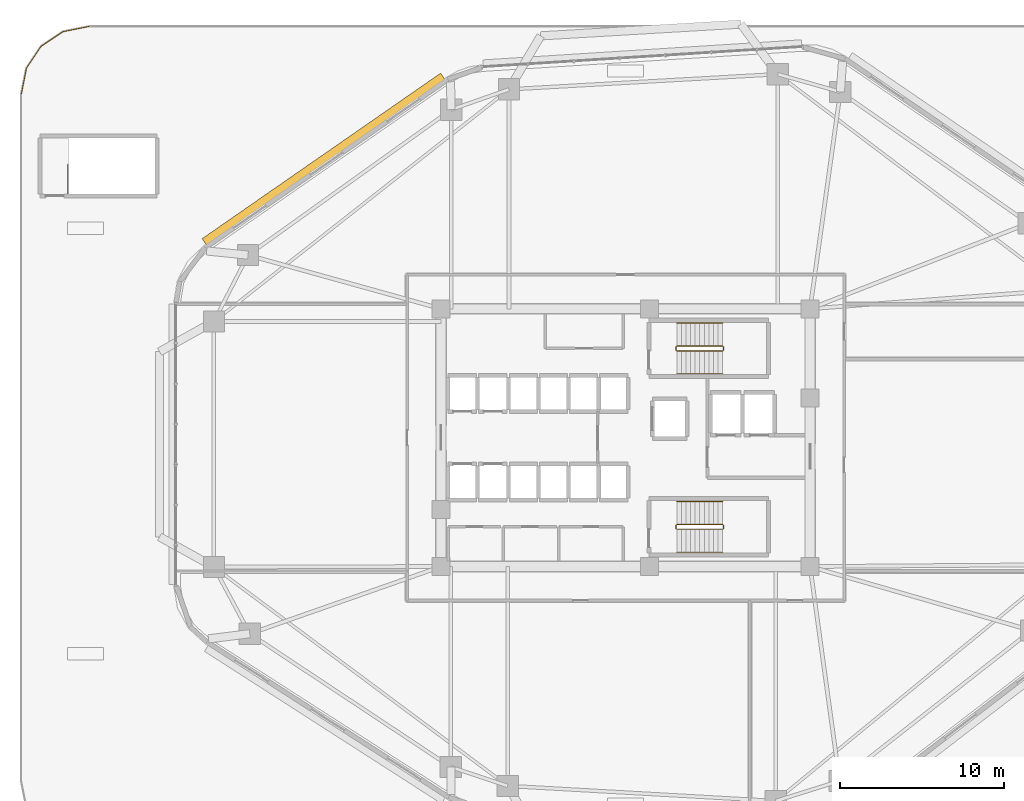
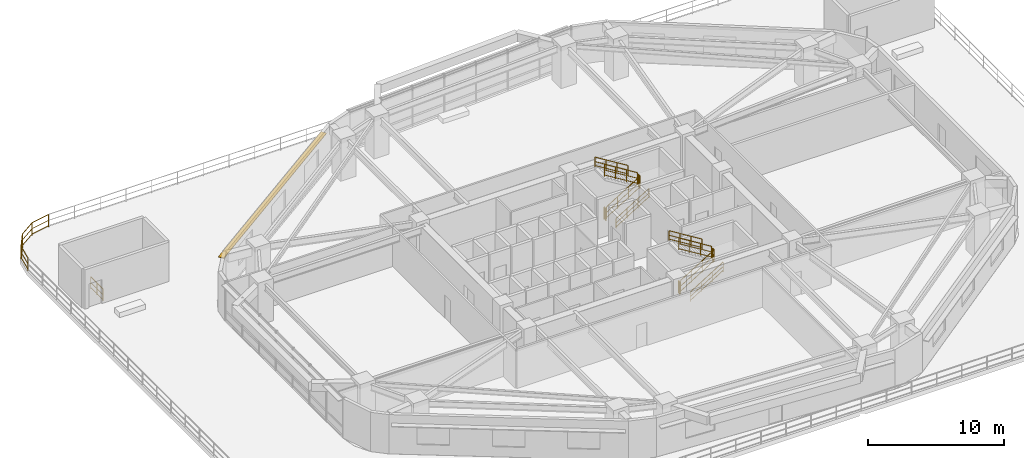
# One storey, part 19 of 20: 17 railings, 1 shading device.
"""IFC4 building model written with IfcOpenShell, lengths in metres."""

import ifcopenshell
import ifcopenshell.guid

model = None  # the IFC model being written
_history = None  # IfcOwnerHistory: only IFC2X3 demands one
_inside = {}  # id of a spatial element -> (the spatial element, [elements in it])
_under = {}  # id of a project, library or spatial element -> (it, [spatial elements below it])
_declared = {}  # id of a project -> (the project, [libraries it declares])
_typed = {}  # id of a type object -> (the type object, [elements of that type])
_made_of = {}  # id of a material, layer set ... -> (it, [elements and type objects made of it])


def new_model(schema):
    """Start an empty IFC model of exactly this schema.

    Asked for "IFC4X3", IfcOpenShell would pick the latest addendum, in which some entities
    have other attributes; the version numbers below select the first issue.
    IFC2X3 requires an IfcOwnerHistory on every rooted entity: one is made here for all.
    """
    global model, _history
    if schema == "IFC4X3":
        model = ifcopenshell.file(schema_version=(4, 3, 0, 0))
    else:
        model = ifcopenshell.file(schema=schema)
    _inside.clear()
    _under.clear()
    _declared.clear()
    _typed.clear()
    _made_of.clear()
    _history = None
    if model.schema == "IFC2X3":
        org = make("IfcOrganization", Name="unknown")
        user = make(
            "IfcPersonAndOrganization",
            ThePerson=make("IfcPerson", FamilyName="unknown"),
            TheOrganization=org,
        )
        app = make(
            "IfcApplication",
            ApplicationDeveloper=org,
            Version="unknown",
            ApplicationFullName="unknown",
            ApplicationIdentifier="unknown",
        )
        _history = make(
            "IfcOwnerHistory",
            OwningUser=user,
            OwningApplication=app,
            ChangeAction="ADDED",
            CreationDate=0,
        )
    return model


def make(cls, **values):
    """One entity of the class cls with the attributes given. An attribute that is None is left unset."""
    return model.create_entity(
        cls, **{name: value for name, value in values.items() if value is not None}
    )


def rooted(cls, **values):
    """An entity with a GlobalId (a new one), such as an element, a storey or a relation."""
    return make(cls, GlobalId=ifcopenshell.guid.new(), OwnerHistory=_history, **values)


def si_unit(unit_type, name, prefix=None):
    """IfcSIUnit, for example si_unit("LENGTHUNIT", "METRE", prefix="MILLI")."""
    return make("IfcSIUnit", UnitType=unit_type, Prefix=prefix, Name=name)


def assignment(units):
    """IfcUnitAssignment: the units of a project."""
    return None if units is None else make("IfcUnitAssignment", Units=units)


def point(xyz):
    """IfcCartesianPoint."""
    return None if xyz is None else make("IfcCartesianPoint", Coordinates=xyz)


def direction(xyz):
    """IfcDirection."""
    return None if xyz is None else make("IfcDirection", DirectionRatios=xyz)


def frame(location, z_axis=None, x_axis=None):
    """IfcAxis2Placement3D, a coordinate frame: its origin and axes. An axis left out is left unset."""
    return make(
        "IfcAxis2Placement3D",
        Location=point(location),
        Axis=direction(z_axis),
        RefDirection=direction(x_axis),
    )


def frame_2d(location, x_axis=None):
    """IfcAxis2Placement2D, a coordinate frame in the plane: its origin and x axis."""
    return make(
        "IfcAxis2Placement2D", Location=point(location), RefDirection=direction(x_axis)
    )


def origin():
    """The frame at (0, 0, 0) with its axes left unset."""
    return frame((0.0, 0.0, 0.0))


def origin_2d():
    """The frame at (0, 0) in the plane with its x axis left unset."""
    return frame_2d((0.0, 0.0))


def place(relative_to, where):
    """IfcLocalPlacement: puts the frame where relative to a parent placement (None: the world)."""
    return make(
        "IfcLocalPlacement", PlacementRelTo=relative_to, RelativePlacement=where
    )


def context(
    kind, dimensions, precision=None, world=None, true_north=None, identifier=None
):
    """IfcGeometricRepresentationContext, for example the 3D "Model" context."""
    return make(
        "IfcGeometricRepresentationContext",
        ContextIdentifier=identifier,
        ContextType=kind,
        CoordinateSpaceDimension=dimensions,
        Precision=precision,
        WorldCoordinateSystem=world,
        TrueNorth=true_north,
    )


def subcontext(parent, identifier, kind, view, scale=None):
    """IfcGeometricRepresentationSubContext, for example "Body" below "Model"."""
    return make(
        "IfcGeometricRepresentationSubContext",
        ContextIdentifier=identifier,
        ContextType=kind,
        ParentContext=parent,
        TargetScale=scale,
        TargetView=view,
    )


def project(units=None, contexts=None):
    """IfcProject with its units and contexts."""
    return rooted(
        "IfcProject",
        Name="project",
        RepresentationContexts=contexts,
        UnitsInContext=assignment(units),
    )


def spatial(cls, under=None, at=None, **own):
    """A site, building, storey or space (cls), placed at a placement, below another one or the project."""
    s = rooted(cls, ObjectPlacement=at, **own)
    if under is not None:
        _under.setdefault(under.id(), (under, []))[1].append(s)
    return s


def profile(cls, at=None, kind="AREA", **sizes):
    """A parametric profile (cls). Its sizes go by their IFC names, for example OverallWidth=200.0."""
    return make(cls, ProfileType=kind, Position=at, **sizes)


def rectangle(**sizes):
    """IfcRectangleProfileDef."""
    return profile("IfcRectangleProfileDef", **sizes)


def extrude(swept, where, along, depth):
    """IfcExtrudedAreaSolid: the profile swept, set in the frame where, extruded along a direction by depth."""
    return make(
        "IfcExtrudedAreaSolid",
        SweptArea=swept,
        Position=where,
        ExtrudedDirection=direction(along),
        Depth=depth,
    )


def shape(context_of_items, identifier, shape_type, items):
    """IfcShapeRepresentation: the items that make up one representation, for example the "Body"."""
    return make(
        "IfcShapeRepresentation",
        ContextOfItems=context_of_items,
        RepresentationIdentifier=identifier,
        RepresentationType=shape_type,
        Items=items,
    )


def material(Name=None, Category=None):
    """IfcMaterial."""
    return make("IfcMaterial", Name=Name, Category=Category)


def layer(
    of_material, thickness, ventilated=None, Name=None, Category=None, Priority=None
):
    """IfcMaterialLayer: one layer of a wall or slab, of a material (None: an air gap)."""
    return make(
        "IfcMaterialLayer",
        Material=of_material,
        LayerThickness=thickness,
        IsVentilated=ventilated,
        Name=Name,
        Category=Category,
        Priority=Priority,
    )


def layer_set(layers, Name=None):
    """IfcMaterialLayerSet."""
    return make("IfcMaterialLayerSet", MaterialLayers=layers, LayerSetName=Name)


def made_of(thing, what):
    """Note that an element or type object is made of a material, layer set ...; save() writes the relation."""
    if what is not None:
        _made_of.setdefault(what.id(), (what, []))[1].append(thing)
    return thing


def type_object(cls, material=None, **own):
    """A type object (cls), such as IfcWallType, which elements share."""
    return made_of(rooted(cls, **own), material)


def element(
    cls,
    number,
    at=None,
    inside=None,
    cuts=None,
    type_object=None,
    material=None,
    context=None,
    identifier="Body",
    shape_type=None,
    held_by="IfcProductDefinitionShape",
    body=None,
    shapes=None,
    **own,
):
    """One element of the class cls, such as IfcWall. Its Tag is "e" and its number.

    at: its placement. inside: the storey or other place that contains it. cuts: it is an
    opening in that element (IfcRelVoidsElement). A single representation is given by context,
    identifier, shape_type and body (its items); several are given by shapes. held_by: the class
    of the entity that holds the representations. save() writes the other relations.
    """
    e = rooted(cls, Tag="e%d" % number, ObjectPlacement=at, **own)
    if body is not None:
        shapes = [shape(context, identifier, shape_type, body)]
    if shapes is not None:
        e.Representation = make(held_by, Representations=shapes)
    if inside is not None:
        _inside.setdefault(inside.id(), (inside, []))[1].append(e)
    if cuts is not None:
        rooted(
            "IfcRelVoidsElement", RelatingBuildingElement=cuts, RelatedOpeningElement=e
        )
    if type_object is not None:
        _typed.setdefault(type_object.id(), (type_object, []))[1].append(e)
    return made_of(e, material)


def aggregate(whole, parts):
    """IfcRelAggregates: a whole, such as a stair, and the parts it consists of."""
    return rooted("IfcRelAggregates", RelatingObject=whole, RelatedObjects=parts)


def save(model, path):
    """Write the relations noted so far, then the file.

    IfcRelAggregates (storeys below a building ...), IfcRelContainedInSpatialStructure (elements
    in a storey), IfcRelDefinesByType, IfcRelAssociatesMaterial and IfcRelDeclares: one each for
    every whole, place, type object, material and project.
    """
    for whole, parts in _under.values():
        aggregate(whole, parts)
    for where, things in _inside.values():
        rooted(
            "IfcRelContainedInSpatialStructure",
            RelatedElements=things,
            RelatingStructure=where,
        )
    for kind, things in _typed.values():
        rooted("IfcRelDefinesByType", RelatedObjects=things, RelatingType=kind)
    for what, things in _made_of.values():
        rooted("IfcRelAssociatesMaterial", RelatedObjects=things, RelatingMaterial=what)
    for by, libraries in _declared.values():
        rooted("IfcRelDeclares", RelatingContext=by, RelatedDefinitions=libraries)
    model.write(path)


model = new_model("IFC4")

# Units and contexts
model_context = context("Model", 3, precision=1e-05, world=origin(), true_north=direction((0.0, 1.0)))
body_context = subcontext(model_context, "Body", "Model", "MODEL_VIEW")
ifc_project = project(units=[si_unit("LENGTHUNIT", "METRE"), si_unit("AREAUNIT", "SQUARE_METRE"), si_unit("VOLUMEUNIT", "CUBIC_METRE"), si_unit("PLANEANGLEUNIT", "RADIAN"), si_unit("MASSUNIT", "GRAM", prefix="KILO")], contexts=[model_context])

# Site, building, storey
site_placement = place(None, origin())
site = spatial("IfcSite", under=ifc_project, at=site_placement, CompositionType="ELEMENT")
building_placement = place(site_placement, origin())
building = spatial("IfcBuilding", under=site, at=building_placement, Name="Zulverin Broadcast Headquarters", CompositionType="ELEMENT")
storey_placement = place(building_placement, frame((0.0, 0.0, 25.0)))
storey = spatial("IfcBuildingStorey", under=building, at=storey_placement, Name="L05", CompositionType="ELEMENT", Elevation=25.0)

# Railings
ifc_material_1 = material(Name="Brushed stainless steel & laminated glass balustrade", Category="steel")
railing_type_1 = type_object("IfcRailingType", Name="RL-GUARD-1150", PredefinedType="GUARDRAIL", material=ifc_material_1)
railing_1_placement = place(storey_placement, frame((4.193115234375, 50.317138671875, 0.0)))
element("IfcRailing", 1, at=railing_1_placement, inside=storey, type_object=railing_type_1, Name="L05 Raised Public Garden Perimeter Balustrade Segment 12", PredefinedType="GUARDRAIL", context=body_context, shape_type="SweptSolid", body=[
    extrude(rectangle(XDim=0.048095703125, YDim=0.048095703125, at=origin_2d()), frame((0.0, 0.0, 1.1259765625), z_axis=(-0.980769804639, -0.195168107818, 0.0), x_axis=(0.195168107818, -0.980769804639, 0.0)), (0.0, 0.0, 1.0), 1.5849609375),
    extrude(rectangle(XDim=0.0419921875, YDim=0.0419921875, at=origin_2d()), frame((0.0, 0.0, 0.597900390625), z_axis=(-0.980769804639, -0.195168107818, 0.0), x_axis=(0.195168107818, -0.980769804639, 0.0)), (0.0, 0.0, 1.0), 1.5849609375),
    extrude(rectangle(XDim=0.0419921875, YDim=0.0419921875, at=origin_2d()), frame((0.0, 0.0, 0.1201171875), z_axis=(-0.980769804639, -0.195168107818, 0.0), x_axis=(0.195168107818, -0.980769804639, 0.0)), (0.0, 0.0, 1.0), 1.5849609375),
    extrude(rectangle(XDim=0.0419921875, YDim=0.0419921875, at=origin_2d()), origin(), (0.0, 0.0, 1.0), 1.101806640625),
    extrude(rectangle(XDim=0.0419921875, YDim=0.0419921875, at=origin_2d()), frame((-1.554443359375, -0.309326171875, 0.0)), (0.0, 0.0, 1.0), 1.101806640625),
])
railing_2_placement = place(storey_placement, frame((2.611328125, 49.99658203125, 0.0)))
element("IfcRailing", 2, at=railing_2_placement, inside=storey, type_object=railing_type_1, Name="L05 Raised Public Garden Perimeter Balustrade Segment 13", PredefinedType="GUARDRAIL", context=body_context, shape_type="SweptSolid", body=[
    extrude(rectangle(XDim=0.048095703125, YDim=0.048095703125, at=origin_2d()), frame((0.0, 0.0, 1.1259765625), z_axis=(-0.831406618697, -0.555664498045, 0.0), x_axis=(0.555664498045, -0.831406618697, 0.0)), (0.0, 0.0, 1.0), 1.576904296875),
    extrude(rectangle(XDim=0.0419921875, YDim=0.0419921875, at=origin_2d()), frame((0.0, 0.0, 0.597900390625), z_axis=(-0.831406618697, -0.555664498045, 0.0), x_axis=(0.555664498045, -0.831406618697, 0.0)), (0.0, 0.0, 1.0), 1.576904296875),
    extrude(rectangle(XDim=0.0419921875, YDim=0.0419921875, at=origin_2d()), frame((0.0, 0.0, 0.1201171875), z_axis=(-0.831406618697, -0.555664498045, 0.0), x_axis=(0.555664498045, -0.831406618697, 0.0)), (0.0, 0.0, 1.0), 1.576904296875),
    extrude(rectangle(XDim=0.0419921875, YDim=0.0419921875, at=origin_2d()), origin(), (0.0, 0.0, 1.0), 1.101806640625),
    extrude(rectangle(XDim=0.0419921875, YDim=0.0419921875, at=origin_2d()), frame((-1.31103515625, -0.876220703125, 0.0)), (0.0, 0.0, 1.0), 1.101806640625),
])
railing_3_placement = place(storey_placement, frame((1.279541015625, 49.099609375, 0.0)))
element("IfcRailing", 3, at=railing_3_placement, inside=storey, type_object=railing_type_1, Name="L05 Raised Public Garden Perimeter Balustrade Segment 14", PredefinedType="GUARDRAIL", context=body_context, shape_type="SweptSolid", body=[
    extrude(rectangle(XDim=0.048095703125, YDim=0.048095703125, at=origin_2d()), frame((0.0, 0.0, 1.1259765625), z_axis=(-0.555664498045, -0.831406618697, 0.0), x_axis=(0.831406618697, -0.555664498045, 0.0)), (0.0, 0.0, 1.0), 1.576904296875),
    extrude(rectangle(XDim=0.0419921875, YDim=0.0419921875, at=origin_2d()), frame((0.0, 0.0, 0.597900390625), z_axis=(-0.555664498045, -0.831406618697, 0.0), x_axis=(0.831406618697, -0.555664498045, 0.0)), (0.0, 0.0, 1.0), 1.576904296875),
    extrude(rectangle(XDim=0.0419921875, YDim=0.0419921875, at=origin_2d()), frame((0.0, 0.0, 0.1201171875), z_axis=(-0.555664498045, -0.831406618697, 0.0), x_axis=(0.831406618697, -0.555664498045, 0.0)), (0.0, 0.0, 1.0), 1.576904296875),
    extrude(rectangle(XDim=0.0419921875, YDim=0.0419921875, at=origin_2d()), origin(), (0.0, 0.0, 1.0), 1.101806640625),
    extrude(rectangle(XDim=0.0419921875, YDim=0.0419921875, at=origin_2d()), frame((-0.876220703125, -1.31103515625, 0.0)), (0.0, 0.0, 1.0), 1.101806640625),
])
railing_4_placement = place(storey_placement, frame((0.39208984375, 47.761474609375, 0.0)))
element("IfcRailing", 4, at=railing_4_placement, inside=storey, type_object=railing_type_1, Name="L05 Raised Public Garden Perimeter Balustrade Segment 15", PredefinedType="GUARDRAIL", context=body_context, shape_type="SweptSolid", body=[
    extrude(rectangle(XDim=0.048095703125, YDim=0.048095703125, at=origin_2d()), frame((0.0, 0.0, 1.1259765625), z_axis=(-0.194990468547, -0.980805137209, 0.0), x_axis=(0.980805137209, -0.194990468547, 0.0)), (0.0, 0.0, 1.0), 1.585205078125),
    extrude(rectangle(XDim=0.0419921875, YDim=0.0419921875, at=origin_2d()), frame((0.0, 0.0, 0.597900390625), z_axis=(-0.194990468547, -0.980805137209, 0.0), x_axis=(0.980805137209, -0.194990468547, 0.0)), (0.0, 0.0, 1.0), 1.585205078125),
    extrude(rectangle(XDim=0.0419921875, YDim=0.0419921875, at=origin_2d()), frame((0.0, 0.0, 0.1201171875), z_axis=(-0.194990468547, -0.980805137209, 0.0), x_axis=(0.980805137209, -0.194990468547, 0.0)), (0.0, 0.0, 1.0), 1.585205078125),
    extrude(rectangle(XDim=0.0419921875, YDim=0.0419921875, at=origin_2d()), origin(), (0.0, 0.0, 1.0), 1.101806640625),
    extrude(rectangle(XDim=0.0419921875, YDim=0.0419921875, at=origin_2d()), frame((-0.30908203125, -1.5546875, 0.0)), (0.0, 0.0, 1.0), 1.101806640625),
])
ifc_material_2 = material(Name="Painted galvanized steel tubular guardrail S355JR", Category="steel")
railing_type_2 = type_object("IfcRailingType", Name="RL-ST-GUARD", PredefinedType="GUARDRAIL", material=ifc_material_2)
railing_5_placement = place(storey_placement, frame((40.1298828125, 30.5, 0.172607421875)))
element("IfcRailing", 5, at=railing_5_placement, inside=storey, type_object=railing_type_2, Name="L05 ST-1 stair guard 1", PredefinedType="GUARDRAIL", context=body_context, shape_type="SweptSolid", body=[
    extrude(rectangle(XDim=0.048095703125, YDim=0.048095703125, at=origin_2d()), frame((0.0, 0.0, 1.076171875), z_axis=(0.851089632645, 0.0, 0.525020415988), x_axis=(0.0, 1.0, 0.0)), (0.0, 0.0, 1.0), 3.2900390625),
    extrude(rectangle(XDim=0.0419921875, YDim=0.0419921875, at=origin_2d()), frame((0.0, 0.0, 0.572021484375), z_axis=(0.851089632645, 0.0, 0.525020415988), x_axis=(0.0, 1.0, 0.0)), (0.0, 0.0, 1.0), 3.2900390625),
    extrude(rectangle(XDim=0.0419921875, YDim=0.0419921875, at=origin_2d()), frame((0.0, 0.0, 0.1201171875), z_axis=(0.851089632645, 0.0, 0.525020415988), x_axis=(0.0, 1.0, 0.0)), (0.0, 0.0, 1.0), 3.2900390625),
    extrude(rectangle(XDim=0.0419921875, YDim=0.0419921875, at=origin_2d()), origin(), (0.0, 0.0, 1.0), 1.052001953125),
    extrude(rectangle(XDim=0.0419921875, YDim=0.0419921875, at=origin_2d()), frame((0.933349609375, 0.0, 0.57568359375)), (0.0, 0.0, 1.0), 1.052001953125),
    extrude(rectangle(XDim=0.0419921875, YDim=0.0419921875, at=origin_2d()), frame((1.86669921875, 0.0, 1.151611328125)), (0.0, 0.0, 1.0), 1.052001953125),
    extrude(rectangle(XDim=0.0419921875, YDim=0.0419921875, at=origin_2d()), frame((2.800048828125, 0.0, 1.727294921875)), (0.0, 0.0, 1.0), 1.052001953125),
])
railing_6_placement = place(storey_placement, frame((42.97998046875, 30.550048828125, 1.89990234375)))
element("IfcRailing", 6, at=railing_6_placement, inside=storey, type_object=railing_type_2, Name="L05 ST-1 stair guard 2", PredefinedType="GUARDRAIL", context=body_context, shape_type="SweptSolid", body=[
    extrude(rectangle(XDim=0.048095703125, YDim=0.048095703125, at=origin_2d()), frame((0.0, 0.0, 1.076171875), z_axis=(0.0, 1.0, 0.0), x_axis=(-1.0, 0.0, 0.0)), (0.0, 0.0, 1.0), 0.199951171875),
    extrude(rectangle(XDim=0.0419921875, YDim=0.0419921875, at=origin_2d()), frame((0.0, 0.0, 0.572021484375), z_axis=(0.0, 1.0, 0.0), x_axis=(-1.0, 0.0, 0.0)), (0.0, 0.0, 1.0), 0.199951171875),
    extrude(rectangle(XDim=0.0419921875, YDim=0.0419921875, at=origin_2d()), frame((0.0, 0.0, 0.1201171875), z_axis=(0.0, 1.0, 0.0), x_axis=(-1.0, 0.0, 0.0)), (0.0, 0.0, 1.0), 0.199951171875),
    extrude(rectangle(XDim=0.0419921875, YDim=0.0419921875, at=origin_2d()), origin(), (0.0, 0.0, 1.0), 1.052001953125),
    extrude(rectangle(XDim=0.0419921875, YDim=0.0419921875, at=origin_2d()), frame((0.0, 0.199951171875, 0.0)), (0.0, 0.0, 1.0), 1.052001953125),
])
railing_7_placement = place(storey_placement, frame((42.929931640625, 30.800048828125, 2.07275390625)))
element("IfcRailing", 7, at=railing_7_placement, inside=storey, type_object=railing_type_2, Name="L05 ST-1 stair guard 3", PredefinedType="GUARDRAIL", context=body_context, shape_type="SweptSolid", body=[
    extrude(rectangle(XDim=0.048095703125, YDim=0.048095703125, at=origin_2d()), frame((0.0, 0.0, 1.076171875), z_axis=(-0.851089632645, 0.0, 0.525020415988), x_axis=(0.0, -1.0, 0.0)), (0.0, 0.0, 1.0), 3.2900390625),
    extrude(rectangle(XDim=0.0419921875, YDim=0.0419921875, at=origin_2d()), frame((0.0, 0.0, 0.572021484375), z_axis=(-0.851089632645, 0.0, 0.525020415988), x_axis=(0.0, -1.0, 0.0)), (0.0, 0.0, 1.0), 3.2900390625),
    extrude(rectangle(XDim=0.0419921875, YDim=0.0419921875, at=origin_2d()), frame((0.0, 0.0, 0.1201171875), z_axis=(-0.851089632645, 0.0, 0.525020415988), x_axis=(0.0, -1.0, 0.0)), (0.0, 0.0, 1.0), 3.2900390625),
    extrude(rectangle(XDim=0.0419921875, YDim=0.0419921875, at=origin_2d()), origin(), (0.0, 0.0, 1.0), 1.052001953125),
    extrude(rectangle(XDim=0.0419921875, YDim=0.0419921875, at=origin_2d()), frame((-0.933349609375, 0.0, 0.57568359375)), (0.0, 0.0, 1.0), 1.052001953125),
    extrude(rectangle(XDim=0.0419921875, YDim=0.0419921875, at=origin_2d()), frame((-1.86669921875, 0.0, 1.151611328125)), (0.0, 0.0, 1.0), 1.052001953125),
    extrude(rectangle(XDim=0.0419921875, YDim=0.0419921875, at=origin_2d()), frame((-2.800048828125, 0.0, 1.727294921875)), (0.0, 0.0, 1.0), 1.052001953125),
])
railing_8_placement = place(storey_placement, frame((40.080078125, 30.550048828125, 0.0)))
element("IfcRailing", 8, at=railing_8_placement, inside=storey, type_object=railing_type_2, Name="L05 ST-1 stair guard 4", PredefinedType="GUARDRAIL", context=body_context, shape_type="SweptSolid", body=[
    extrude(rectangle(XDim=0.048095703125, YDim=0.048095703125, at=origin_2d()), frame((0.0, 0.0, 1.076171875), z_axis=(0.0, 1.0, 0.0), x_axis=(-1.0, 0.0, 0.0)), (0.0, 0.0, 1.0), 0.199951171875),
    extrude(rectangle(XDim=0.0419921875, YDim=0.0419921875, at=origin_2d()), frame((0.0, 0.0, 0.572021484375), z_axis=(0.0, 1.0, 0.0), x_axis=(-1.0, 0.0, 0.0)), (0.0, 0.0, 1.0), 0.199951171875),
    extrude(rectangle(XDim=0.0419921875, YDim=0.0419921875, at=origin_2d()), frame((0.0, 0.0, 0.1201171875), z_axis=(0.0, 1.0, 0.0), x_axis=(-1.0, 0.0, 0.0)), (0.0, 0.0, 1.0), 0.199951171875),
    extrude(rectangle(XDim=0.0419921875, YDim=0.0419921875, at=origin_2d()), origin(), (0.0, 0.0, 1.0), 1.052001953125),
    extrude(rectangle(XDim=0.0419921875, YDim=0.0419921875, at=origin_2d()), frame((0.0, 0.199951171875, 0.0)), (0.0, 0.0, 1.0), 1.052001953125),
])
railing_9_placement = place(storey_placement, frame((40.1298828125, 19.60009765625, 0.172607421875)))
element("IfcRailing", 9, at=railing_9_placement, inside=storey, type_object=railing_type_2, Name="L05 ST-2 stair guard 1", PredefinedType="GUARDRAIL", context=body_context, shape_type="SweptSolid", body=[
    extrude(rectangle(XDim=0.048095703125, YDim=0.048095703125, at=origin_2d()), frame((0.0, 0.0, 1.076171875), z_axis=(0.851089632645, 0.0, 0.525020415988), x_axis=(0.0, 1.0, 0.0)), (0.0, 0.0, 1.0), 3.2900390625),
    extrude(rectangle(XDim=0.0419921875, YDim=0.0419921875, at=origin_2d()), frame((0.0, 0.0, 0.572021484375), z_axis=(0.851089632645, 0.0, 0.525020415988), x_axis=(0.0, 1.0, 0.0)), (0.0, 0.0, 1.0), 3.2900390625),
    extrude(rectangle(XDim=0.0419921875, YDim=0.0419921875, at=origin_2d()), frame((0.0, 0.0, 0.1201171875), z_axis=(0.851089632645, 0.0, 0.525020415988), x_axis=(0.0, 1.0, 0.0)), (0.0, 0.0, 1.0), 3.2900390625),
    extrude(rectangle(XDim=0.0419921875, YDim=0.0419921875, at=origin_2d()), origin(), (0.0, 0.0, 1.0), 1.052001953125),
    extrude(rectangle(XDim=0.0419921875, YDim=0.0419921875, at=origin_2d()), frame((0.933349609375, 0.0, 0.57568359375)), (0.0, 0.0, 1.0), 1.052001953125),
    extrude(rectangle(XDim=0.0419921875, YDim=0.0419921875, at=origin_2d()), frame((1.86669921875, 0.0, 1.151611328125)), (0.0, 0.0, 1.0), 1.052001953125),
    extrude(rectangle(XDim=0.0419921875, YDim=0.0419921875, at=origin_2d()), frame((2.800048828125, 0.0, 1.727294921875)), (0.0, 0.0, 1.0), 1.052001953125),
])
railing_10_placement = place(storey_placement, frame((42.97998046875, 19.64990234375, 1.89990234375)))
element("IfcRailing", 10, at=railing_10_placement, inside=storey, type_object=railing_type_2, Name="L05 ST-2 stair guard 2", PredefinedType="GUARDRAIL", context=body_context, shape_type="SweptSolid", body=[
    extrude(rectangle(XDim=0.048095703125, YDim=0.048095703125, at=origin_2d()), frame((0.0, 0.0, 1.076171875), z_axis=(0.0, 1.0, 0.0), x_axis=(-1.0, 0.0, 0.0)), (0.0, 0.0, 1.0), 0.2001953125),
    extrude(rectangle(XDim=0.0419921875, YDim=0.0419921875, at=origin_2d()), frame((0.0, 0.0, 0.572021484375), z_axis=(0.0, 1.0, 0.0), x_axis=(-1.0, 0.0, 0.0)), (0.0, 0.0, 1.0), 0.2001953125),
    extrude(rectangle(XDim=0.0419921875, YDim=0.0419921875, at=origin_2d()), frame((0.0, 0.0, 0.1201171875), z_axis=(0.0, 1.0, 0.0), x_axis=(-1.0, 0.0, 0.0)), (0.0, 0.0, 1.0), 0.2001953125),
    extrude(rectangle(XDim=0.0419921875, YDim=0.0419921875, at=origin_2d()), origin(), (0.0, 0.0, 1.0), 1.052001953125),
    extrude(rectangle(XDim=0.0419921875, YDim=0.0419921875, at=origin_2d()), frame((0.0, 0.2001953125, 0.0)), (0.0, 0.0, 1.0), 1.052001953125),
])
railing_11_placement = place(storey_placement, frame((42.929931640625, 19.89990234375, 2.07275390625)))
element("IfcRailing", 11, at=railing_11_placement, inside=storey, type_object=railing_type_2, Name="L05 ST-2 stair guard 3", PredefinedType="GUARDRAIL", context=body_context, shape_type="SweptSolid", body=[
    extrude(rectangle(XDim=0.048095703125, YDim=0.048095703125, at=origin_2d()), frame((0.0, 0.0, 1.076171875), z_axis=(-0.851089632645, 0.0, 0.525020415988), x_axis=(0.0, -1.0, 0.0)), (0.0, 0.0, 1.0), 3.2900390625),
    extrude(rectangle(XDim=0.0419921875, YDim=0.0419921875, at=origin_2d()), frame((0.0, 0.0, 0.572021484375), z_axis=(-0.851089632645, 0.0, 0.525020415988), x_axis=(0.0, -1.0, 0.0)), (0.0, 0.0, 1.0), 3.2900390625),
    extrude(rectangle(XDim=0.0419921875, YDim=0.0419921875, at=origin_2d()), frame((0.0, 0.0, 0.1201171875), z_axis=(-0.851089632645, 0.0, 0.525020415988), x_axis=(0.0, -1.0, 0.0)), (0.0, 0.0, 1.0), 3.2900390625),
    extrude(rectangle(XDim=0.0419921875, YDim=0.0419921875, at=origin_2d()), origin(), (0.0, 0.0, 1.0), 1.052001953125),
    extrude(rectangle(XDim=0.0419921875, YDim=0.0419921875, at=origin_2d()), frame((-0.933349609375, 0.0, 0.57568359375)), (0.0, 0.0, 1.0), 1.052001953125),
    extrude(rectangle(XDim=0.0419921875, YDim=0.0419921875, at=origin_2d()), frame((-1.86669921875, 0.0, 1.151611328125)), (0.0, 0.0, 1.0), 1.052001953125),
    extrude(rectangle(XDim=0.0419921875, YDim=0.0419921875, at=origin_2d()), frame((-2.800048828125, 0.0, 1.727294921875)), (0.0, 0.0, 1.0), 1.052001953125),
])
railing_12_placement = place(storey_placement, frame((40.080078125, 19.64990234375, 0.0)))
element("IfcRailing", 12, at=railing_12_placement, inside=storey, type_object=railing_type_2, Name="L05 ST-2 stair guard 4", PredefinedType="GUARDRAIL", context=body_context, shape_type="SweptSolid", body=[
    extrude(rectangle(XDim=0.048095703125, YDim=0.048095703125, at=origin_2d()), frame((0.0, 0.0, 1.076171875), z_axis=(0.0, 1.0, 0.0), x_axis=(-1.0, 0.0, 0.0)), (0.0, 0.0, 1.0), 0.2001953125),
    extrude(rectangle(XDim=0.0419921875, YDim=0.0419921875, at=origin_2d()), frame((0.0, 0.0, 0.572021484375), z_axis=(0.0, 1.0, 0.0), x_axis=(-1.0, 0.0, 0.0)), (0.0, 0.0, 1.0), 0.2001953125),
    extrude(rectangle(XDim=0.0419921875, YDim=0.0419921875, at=origin_2d()), frame((0.0, 0.0, 0.1201171875), z_axis=(0.0, 1.0, 0.0), x_axis=(-1.0, 0.0, 0.0)), (0.0, 0.0, 1.0), 0.2001953125),
    extrude(rectangle(XDim=0.0419921875, YDim=0.0419921875, at=origin_2d()), origin(), (0.0, 0.0, 1.0), 1.052001953125),
    extrude(rectangle(XDim=0.0419921875, YDim=0.0419921875, at=origin_2d()), frame((0.0, 0.2001953125, 0.0)), (0.0, 0.0, 1.0), 1.052001953125),
])
railing_13_placement = place(storey_placement, frame((2.919921875, 40.10009765625, 0.0)))
element("IfcRailing", 13, at=railing_13_placement, inside=storey, type_object=railing_type_2, Name="L05 ST-3 top well guard 1", PredefinedType="GUARDRAIL", context=body_context, shape_type="SweptSolid", body=[
    extrude(rectangle(XDim=0.048095703125, YDim=0.048095703125, at=origin_2d()), frame((0.0, 0.0, 1.076171875), z_axis=(0.0, 1.0, 0.0), x_axis=(-1.0, 0.0, 0.0)), (0.0, 0.0, 1.0), 1.7998046875),
    extrude(rectangle(XDim=0.0419921875, YDim=0.0419921875, at=origin_2d()), frame((0.0, 0.0, 0.572021484375), z_axis=(0.0, 1.0, 0.0), x_axis=(-1.0, 0.0, 0.0)), (0.0, 0.0, 1.0), 1.7998046875),
    extrude(rectangle(XDim=0.0419921875, YDim=0.0419921875, at=origin_2d()), frame((0.0, 0.0, 0.1201171875), z_axis=(0.0, 1.0, 0.0), x_axis=(-1.0, 0.0, 0.0)), (0.0, 0.0, 1.0), 1.7998046875),
    extrude(rectangle(XDim=0.0419921875, YDim=0.0419921875, at=origin_2d()), origin(), (0.0, 0.0, 1.0), 1.052001953125),
    extrude(rectangle(XDim=0.0419921875, YDim=0.0419921875, at=origin_2d()), frame((0.0, 0.89990234375, 0.0)), (0.0, 0.0, 1.0), 1.052001953125),
    extrude(rectangle(XDim=0.0419921875, YDim=0.0419921875, at=origin_2d()), frame((0.0, 1.7998046875, 0.0)), (0.0, 0.0, 1.0), 1.052001953125),
])
ifc_material_3 = material(Name="Brushed stainless steel 48 mm handrail", Category="steel")
railing_type_3 = type_object("IfcRailingType", Name="RL-ST-HAND", PredefinedType="HANDRAIL", material=ifc_material_3)
railing_14_placement = place(storey_placement, frame((40.1298828125, 29.10009765625, 0.172607421875)))
element("IfcRailing", 14, at=railing_14_placement, inside=storey, type_object=railing_type_3, Name="L05 ST-1 stair handrail 1", PredefinedType="HANDRAIL", context=body_context, shape_type="SweptSolid", body=[
    extrude(rectangle(XDim=0.048095703125, YDim=0.048095703125, at=origin_2d()), frame((0.0, 0.0, 0.8759765625), z_axis=(0.851089632645, 0.0, 0.525020415988), x_axis=(0.0, 1.0, 0.0)), (0.0, 0.0, 1.0), 3.2900390625),
    extrude(rectangle(XDim=0.0419921875, YDim=0.0419921875, at=origin_2d()), frame((0.0, 0.0, 0.468017578125), z_axis=(0.851089632645, 0.0, 0.525020415988), x_axis=(0.0, 1.0, 0.0)), (0.0, 0.0, 1.0), 3.2900390625),
    extrude(rectangle(XDim=0.0419921875, YDim=0.0419921875, at=origin_2d()), frame((0.0, 0.0, 0.1201171875), z_axis=(0.851089632645, 0.0, 0.525020415988), x_axis=(0.0, 1.0, 0.0)), (0.0, 0.0, 1.0), 3.2900390625),
    extrude(rectangle(XDim=0.0419921875, YDim=0.0419921875, at=origin_2d()), origin(), (0.0, 0.0, 1.0), 0.851806640625),
    extrude(rectangle(XDim=0.0419921875, YDim=0.0419921875, at=origin_2d()), frame((0.933349609375, 0.0, 0.57568359375)), (0.0, 0.0, 1.0), 0.851806640625),
    extrude(rectangle(XDim=0.0419921875, YDim=0.0419921875, at=origin_2d()), frame((1.86669921875, 0.0, 1.151611328125)), (0.0, 0.0, 1.0), 0.851806640625),
    extrude(rectangle(XDim=0.0419921875, YDim=0.0419921875, at=origin_2d()), frame((2.800048828125, 0.0, 1.727294921875)), (0.0, 0.0, 1.0), 0.851806640625),
])
railing_15_placement = place(storey_placement, frame((42.929931640625, 32.199951171875, 2.07275390625)))
element("IfcRailing", 15, at=railing_15_placement, inside=storey, type_object=railing_type_3, Name="L05 ST-1 stair handrail 2", PredefinedType="HANDRAIL", context=body_context, shape_type="SweptSolid", body=[
    extrude(rectangle(XDim=0.048095703125, YDim=0.048095703125, at=origin_2d()), frame((0.0, 0.0, 0.8759765625), z_axis=(-0.851089632645, 0.0, 0.525020415988), x_axis=(0.0, -1.0, 0.0)), (0.0, 0.0, 1.0), 3.2900390625),
    extrude(rectangle(XDim=0.0419921875, YDim=0.0419921875, at=origin_2d()), frame((0.0, 0.0, 0.468017578125), z_axis=(-0.851089632645, 0.0, 0.525020415988), x_axis=(0.0, -1.0, 0.0)), (0.0, 0.0, 1.0), 3.2900390625),
    extrude(rectangle(XDim=0.0419921875, YDim=0.0419921875, at=origin_2d()), frame((0.0, 0.0, 0.1201171875), z_axis=(-0.851089632645, 0.0, 0.525020415988), x_axis=(0.0, -1.0, 0.0)), (0.0, 0.0, 1.0), 3.2900390625),
    extrude(rectangle(XDim=0.0419921875, YDim=0.0419921875, at=origin_2d()), origin(), (0.0, 0.0, 1.0), 0.851806640625),
    extrude(rectangle(XDim=0.0419921875, YDim=0.0419921875, at=origin_2d()), frame((-0.933349609375, 0.0, 0.57568359375)), (0.0, 0.0, 1.0), 0.851806640625),
    extrude(rectangle(XDim=0.0419921875, YDim=0.0419921875, at=origin_2d()), frame((-1.86669921875, 0.0, 1.151611328125)), (0.0, 0.0, 1.0), 0.851806640625),
    extrude(rectangle(XDim=0.0419921875, YDim=0.0419921875, at=origin_2d()), frame((-2.800048828125, 0.0, 1.727294921875)), (0.0, 0.0, 1.0), 0.851806640625),
])
railing_16_placement = place(storey_placement, frame((40.1298828125, 18.199951171875, 0.172607421875)))
element("IfcRailing", 16, at=railing_16_placement, inside=storey, type_object=railing_type_3, Name="L05 ST-2 stair handrail 1", PredefinedType="HANDRAIL", context=body_context, shape_type="SweptSolid", body=[
    extrude(rectangle(XDim=0.048095703125, YDim=0.048095703125, at=origin_2d()), frame((0.0, 0.0, 0.8759765625), z_axis=(0.851089632645, 0.0, 0.525020415988), x_axis=(0.0, 1.0, 0.0)), (0.0, 0.0, 1.0), 3.2900390625),
    extrude(rectangle(XDim=0.0419921875, YDim=0.0419921875, at=origin_2d()), frame((0.0, 0.0, 0.468017578125), z_axis=(0.851089632645, 0.0, 0.525020415988), x_axis=(0.0, 1.0, 0.0)), (0.0, 0.0, 1.0), 3.2900390625),
    extrude(rectangle(XDim=0.0419921875, YDim=0.0419921875, at=origin_2d()), frame((0.0, 0.0, 0.1201171875), z_axis=(0.851089632645, 0.0, 0.525020415988), x_axis=(0.0, 1.0, 0.0)), (0.0, 0.0, 1.0), 3.2900390625),
    extrude(rectangle(XDim=0.0419921875, YDim=0.0419921875, at=origin_2d()), origin(), (0.0, 0.0, 1.0), 0.851806640625),
    extrude(rectangle(XDim=0.0419921875, YDim=0.0419921875, at=origin_2d()), frame((0.933349609375, 0.0, 0.57568359375)), (0.0, 0.0, 1.0), 0.851806640625),
    extrude(rectangle(XDim=0.0419921875, YDim=0.0419921875, at=origin_2d()), frame((1.86669921875, 0.0, 1.151611328125)), (0.0, 0.0, 1.0), 0.851806640625),
    extrude(rectangle(XDim=0.0419921875, YDim=0.0419921875, at=origin_2d()), frame((2.800048828125, 0.0, 1.727294921875)), (0.0, 0.0, 1.0), 0.851806640625),
])
railing_17_placement = place(storey_placement, frame((42.929931640625, 21.300048828125, 2.07275390625)))
element("IfcRailing", 17, at=railing_17_placement, inside=storey, type_object=railing_type_3, Name="L05 ST-2 stair handrail 2", PredefinedType="HANDRAIL", context=body_context, shape_type="SweptSolid", body=[
    extrude(rectangle(XDim=0.048095703125, YDim=0.048095703125, at=origin_2d()), frame((0.0, 0.0, 0.8759765625), z_axis=(-0.851089632645, 0.0, 0.525020415988), x_axis=(0.0, -1.0, 0.0)), (0.0, 0.0, 1.0), 3.2900390625),
    extrude(rectangle(XDim=0.0419921875, YDim=0.0419921875, at=origin_2d()), frame((0.0, 0.0, 0.468017578125), z_axis=(-0.851089632645, 0.0, 0.525020415988), x_axis=(0.0, -1.0, 0.0)), (0.0, 0.0, 1.0), 3.2900390625),
    extrude(rectangle(XDim=0.0419921875, YDim=0.0419921875, at=origin_2d()), frame((0.0, 0.0, 0.1201171875), z_axis=(-0.851089632645, 0.0, 0.525020415988), x_axis=(0.0, -1.0, 0.0)), (0.0, 0.0, 1.0), 3.2900390625),
    extrude(rectangle(XDim=0.0419921875, YDim=0.0419921875, at=origin_2d()), origin(), (0.0, 0.0, 1.0), 0.851806640625),
    extrude(rectangle(XDim=0.0419921875, YDim=0.0419921875, at=origin_2d()), frame((-0.933349609375, 0.0, 0.57568359375)), (0.0, 0.0, 1.0), 0.851806640625),
    extrude(rectangle(XDim=0.0419921875, YDim=0.0419921875, at=origin_2d()), frame((-1.86669921875, 0.0, 1.151611328125)), (0.0, 0.0, 1.0), 0.851806640625),
    extrude(rectangle(XDim=0.0419921875, YDim=0.0419921875, at=origin_2d()), frame((-2.800048828125, 0.0, 1.727294921875)), (0.0, 0.0, 1.0), 0.851806640625),
])

# Shading device
ifc_material_4 = material(Name="Anodized pale-metal aluminium sunshade", Category="aluminium")
ifc_layer = layer(ifc_material_4, 0.06005859375, Name="Anodized pale-metal aluminium sunshade", Category="aluminium")
ifc_layer_set = layer_set([ifc_layer], Name="Anodized pale-metal aluminium sunshade")
shading_device_type = type_object("IfcShadingDeviceType", Name="SS-01_PALE_METAL_ALUMINIUM_SUNSHADE", PredefinedType="USERDEFINED", material=ifc_layer_set)
shading_device_placement = place(storey_placement, frame((18.539794921875, 42.22802734375, 2.7099609375), z_axis=(0.0, 0.0, 1.0), x_axis=(-0.821556397865, -0.57012725345, 0.0)))
element("IfcShadingDevice", 18, at=shading_device_placement, inside=storey, type_object=shading_device_type, Name="L05 Horizontal Pale-Metal Sunshade Band 6", ObjectType="SUNSHADE", PredefinedType="USERDEFINED", context=body_context, shape_type="SweptSolid", body=[
    extrude(rectangle(XDim=17.732421875, YDim=0.449951171875, at=origin_2d()), origin(), (0.0, 0.0, 1.0), 0.06005859375),
])

save(model, "model.ifc")
